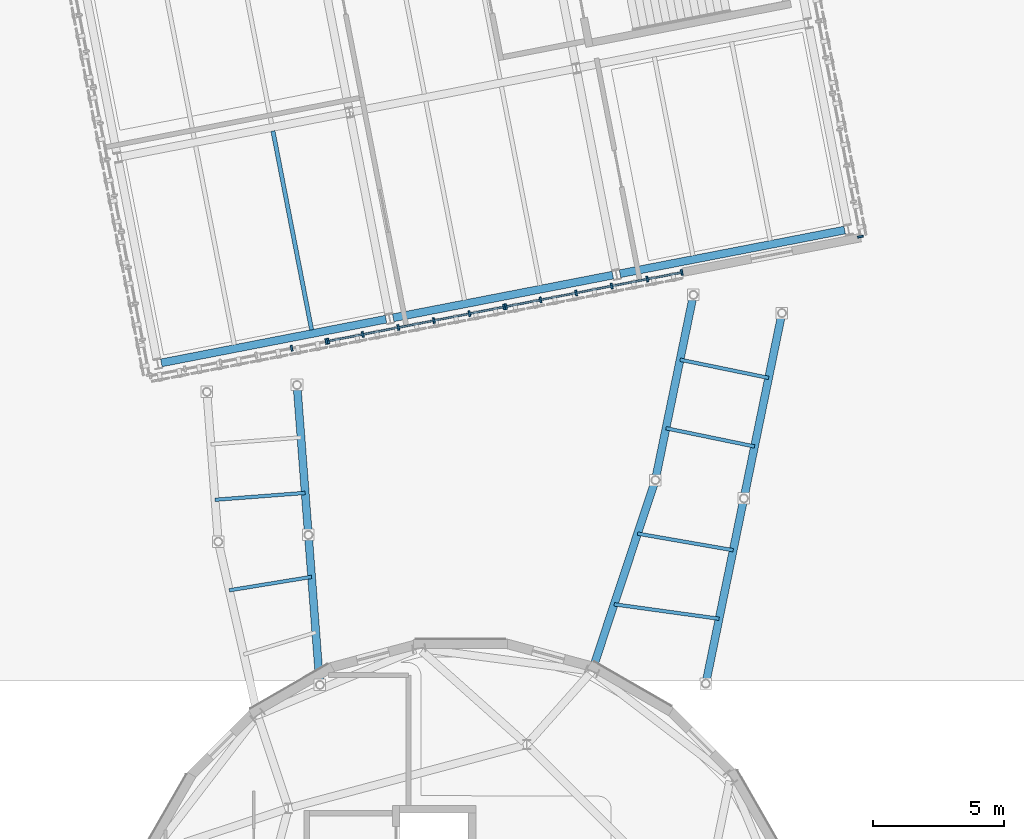
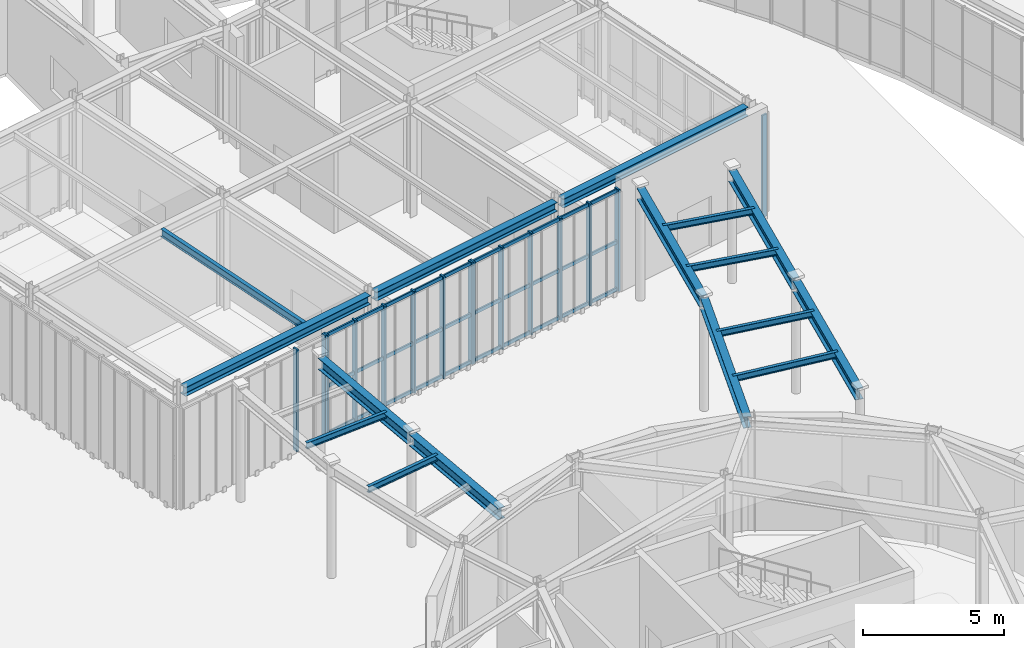
# One storey, part 35 of 97: 21 members, 16 beams, 4 elements without a shape of their own.
"""IFC4 building model written with IfcOpenShell, lengths in metres."""

from ifc_helpers import new_model, si_unit, direction, frame, origin, origin_2d, place, context, subcontext, project, spatial, rectangle, i_section, extrude, material, material_profile, profile_set, type_object, element, aggregate, save


model = new_model("IFC4")

# Units and contexts
model_context = context("Model", 3, precision=1e-05, world=origin(), true_north=direction((0.0, 1.0)))
body_context = subcontext(model_context, "Body", "Model", "MODEL_VIEW")
ifc_project = project(units=[si_unit("LENGTHUNIT", "METRE"), si_unit("AREAUNIT", "SQUARE_METRE"), si_unit("VOLUMEUNIT", "CUBIC_METRE"), si_unit("PLANEANGLEUNIT", "RADIAN"), si_unit("MASSUNIT", "GRAM", prefix="KILO")], contexts=[model_context])

# Site, building, storey
site_placement = place(None, origin())
site = spatial("IfcSite", under=ifc_project, at=site_placement, CompositionType="ELEMENT")
building_placement = place(site_placement, origin())
building = spatial("IfcBuilding", under=site, at=building_placement, Name="Varnklinge Art Gallery", CompositionType="ELEMENT")
storey_placement = place(building_placement, origin())
storey = spatial("IfcBuildingStorey", under=building, at=storey_placement, Name="L00", CompositionType="ELEMENT", Elevation=0.0)

# Beams
ifc_material_1 = material(Name="Steel S355", Category="steel")
ifc_material_profile_1 = material_profile(ifc_material_1, i_section(OverallWidth=0.159912109375, OverallDepth=0.330078125, WebThickness=0.007568359375, FlangeThickness=0.011474609375, FilletRadius=0.01806640625, at=origin_2d()), Name="IPE 330")
ifc_profile_set_1 = profile_set([ifc_material_profile_1], Name="Steel S355")
beam_type_1 = type_object("IfcBeamType", Name="JST-07", PredefinedType="JOIST", material=ifc_profile_set_1)
beam_1_placement = place(storey_placement, frame((69.735595703125, 63.372314453125, 4.715087890625), z_axis=(-0.190785861445, 0.981631679946, 0.0), x_axis=(-0.981631679946, -0.190785861445, 0.0)))
element("IfcBeam", 1, at=beam_1_placement, inside=storey, type_object=beam_type_1, Name="L00 JST-07 JST-V4B-L01-0-0-2", PredefinedType="JOIST", context=body_context, shape_type="SweptSolid", body=[
    extrude(i_section(OverallWidth=0.159912109375, OverallDepth=0.330078125, WebThickness=0.007568359375, FlangeThickness=0.011474609375, FilletRadius=0.01806640625, at=origin_2d()), origin(), (0.0, 0.0, 1.0), 7.72021484375),
])
ifc_material_2 = material(Name="Steel S355", Category="steel")
ifc_material_profile_2 = material_profile(ifc_material_2, i_section(OverallWidth=0.135009765625, OverallDepth=0.27001953125, WebThickness=0.006591796875, FlangeThickness=0.01025390625, FilletRadius=0.014892578125, at=origin_2d()), Name="IPE 270")
ifc_profile_set_2 = profile_set([ifc_material_profile_2], Name="Steel S355")
beam_type_2 = type_object("IfcBeamType", Name="JST-09", PredefinedType="JOIST", material=ifc_profile_set_2)
beam_2_placement = place(storey_placement, frame((69.73486328125, 53.96435546875, 4.7451171875), z_axis=(-0.986924401907, -0.161183823385, 0.0), x_axis=(0.161183823385, -0.986924401907, 0.0)))
element("IfcBeam", 2, at=beam_2_placement, inside=storey, type_object=beam_type_2, Name="L00 JST-09 JST-BRG-1-2", PredefinedType="JOIST", context=body_context, shape_type="SweptSolid", body=[
    extrude(i_section(OverallWidth=0.135009765625, OverallDepth=0.27001953125, WebThickness=0.006591796875, FlangeThickness=0.01025390625, FilletRadius=0.014892578125, at=origin_2d()), origin(), (0.0, 0.0, 1.0), 3.177734375),
])
beam_3_placement = place(storey_placement, frame((69.4912109375, 57.1630859375, 4.7451171875), z_axis=(-0.997113813668, -0.075921292083, 0.0), x_axis=(0.075921292083, -0.997113813668, 0.0)))
element("IfcBeam", 3, at=beam_3_placement, inside=storey, type_object=beam_type_2, Name="L00 JST-09 JST-BRG-1-3", PredefinedType="JOIST", context=body_context, shape_type="SweptSolid", body=[
    extrude(i_section(OverallWidth=0.135009765625, OverallDepth=0.27001953125, WebThickness=0.006591796875, FlangeThickness=0.01025390625, FilletRadius=0.014892578125, at=origin_2d()), origin(), (0.0, 0.0, 1.0), 3.444091796875),
])
beam_4_placement = place(storey_placement, frame((85.25927734375, 52.368408203125, 4.7451171875), z_axis=(-0.990641449962, 0.136489990907, 0.0), x_axis=(-0.136489990907, -0.990641449962, 0.0)))
element("IfcBeam", 4, at=beam_4_placement, inside=storey, type_object=beam_type_2, Name="L00 JST-09 JST-BRG-2-1", PredefinedType="JOIST", context=body_context, shape_type="SweptSolid", body=[
    extrude(i_section(OverallWidth=0.135009765625, OverallDepth=0.27001953125, WebThickness=0.006591796875, FlangeThickness=0.01025390625, FilletRadius=0.014892578125, at=origin_2d()), origin(), (0.0, 0.0, 1.0), 4.035400390625),
])
beam_5_placement = place(storey_placement, frame((85.79638671875, 54.979736328125, 4.7451171875), z_axis=(-0.985265021022, 0.171034611558, 0.0), x_axis=(-0.171034611558, -0.985265021022, 0.0)))
element("IfcBeam", 5, at=beam_5_placement, inside=storey, type_object=beam_type_2, Name="L00 JST-09 JST-BRG-2-2", PredefinedType="JOIST", context=body_context, shape_type="SweptSolid", body=[
    extrude(i_section(OverallWidth=0.135009765625, OverallDepth=0.27001953125, WebThickness=0.006591796875, FlangeThickness=0.01025390625, FilletRadius=0.014892578125, at=origin_2d()), origin(), (0.0, 0.0, 1.0), 3.697021484375),
])
beam_6_placement = place(storey_placement, frame((86.609130859375, 58.932373046875, 4.7451171875), z_axis=(-0.97949737844, 0.201456907622, 0.0), x_axis=(-0.201456907622, -0.97949737844, 0.0)))
element("IfcBeam", 6, at=beam_6_placement, inside=storey, type_object=beam_type_2, Name="L00 JST-09 JST-BRG-2-3", PredefinedType="JOIST", context=body_context, shape_type="SweptSolid", body=[
    extrude(i_section(OverallWidth=0.135009765625, OverallDepth=0.27001953125, WebThickness=0.006591796875, FlangeThickness=0.01025390625, FilletRadius=0.014892578125, at=origin_2d()), origin(), (0.0, 0.0, 1.0), 3.444091796875),
])
beam_7_placement = place(storey_placement, frame((87.14599609375, 61.5439453125, 4.7451171875), z_axis=(-0.979508488607, 0.201402881677, 0.0), x_axis=(-0.201402881677, -0.979508488607, 0.0)))
element("IfcBeam", 7, at=beam_7_placement, inside=storey, type_object=beam_type_2, Name="L00 JST-09 JST-BRG-2-4", PredefinedType="JOIST", context=body_context, shape_type="SweptSolid", body=[
    extrude(i_section(OverallWidth=0.135009765625, OverallDepth=0.27001953125, WebThickness=0.006591796875, FlangeThickness=0.01025390625, FilletRadius=0.014892578125, at=origin_2d()), origin(), (0.0, 0.0, 1.0), 3.44384765625),
])

# Curtain wall, members
ifc_material_3 = material(Name="Anodised Aluminium", Category="aluminium")
curtain_wall_type_1 = type_object("IfcCurtainWallType", Name="CW-L01", PredefinedType="USERDEFINED", material=ifc_material_3)
curtain_wall_1_placement = place(storey_placement, origin())
curtain_wall_1 = element("IfcCurtainWall", 8, at=curtain_wall_1_placement, inside=storey, type_object=curtain_wall_type_1, Name="L00 Curtain Wall CW-V4B-L00-1-1-1", ObjectType="UNITISED CURTAIN WALL", PredefinedType="USERDEFINED")
ifc_material_4 = material(Name="Anodised Aluminium", Category="aluminium")
ifc_material_profile_3 = material_profile(ifc_material_4, rectangle(XDim=0.074951171875, YDim=0.219970703125, at=origin_2d()), Name="ALU 75x220")
ifc_profile_set_3 = profile_set([ifc_material_profile_3], Name="Anodised Aluminium")
member_type_1 = type_object("IfcMemberType", Name="MUL-02", PredefinedType="MULLION", material=ifc_profile_set_3)
member_1_placement = place(storey_placement, frame((68.974853515625, 62.674560546875, 0.0), z_axis=(0.0, 0.0, 1.0), x_axis=(0.981627183448, 0.190808995377, 0.0)))
member_1 = element("IfcMember", 9, at=member_1_placement, type_object=member_type_1, Name="CW-V4B-L00-1-1-1 Mullion 5", PredefinedType="MULLION", context=body_context, shape_type="SweptSolid", body=[
    extrude(rectangle(XDim=0.074951171875, YDim=0.219970703125, at=origin_2d()), origin(), (0.0, 0.0, 1.0), 4.429931640625),
])
member_2_placement = place(storey_placement, frame((70.292724609375, 62.9306640625, 0.0), z_axis=(0.0, 0.0, 1.0), x_axis=(0.981627183448, 0.190808995377, 0.0)))
member_2 = element("IfcMember", 10, at=member_2_placement, type_object=member_type_1, Name="CW-V4B-L00-1-1-1 Mullion 6", PredefinedType="MULLION", context=body_context, shape_type="SweptSolid", body=[
    extrude(rectangle(XDim=0.074951171875, YDim=0.219970703125, at=origin_2d()), origin(), (0.0, 0.0, 1.0), 4.429931640625),
])
aggregate(curtain_wall_1, [member_1, member_2])

curtain_wall_2_placement = place(storey_placement, origin())
curtain_wall_2 = element("IfcCurtainWall", 11, at=curtain_wall_2_placement, inside=storey, type_object=curtain_wall_type_1, Name="L00 Curtain Wall CW-V4B-L00-1-1-2", ObjectType="UNITISED CURTAIN WALL", PredefinedType="USERDEFINED")
member_3_placement = place(storey_placement, frame((70.3662109375, 62.945068359375, 0.0), z_axis=(0.0, 0.0, 1.0), x_axis=(0.981627183448, 0.190808995377, 0.0)))
member_3 = element("IfcMember", 12, at=member_3_placement, type_object=member_type_1, Name="CW-V4B-L00-1-1-2 Mullion 1", PredefinedType="MULLION", context=body_context, shape_type="SweptSolid", body=[
    extrude(rectangle(XDim=0.074951171875, YDim=0.219970703125, at=origin_2d()), origin(), (0.0, 0.0, 1.0), 4.429931640625),
])
member_4_placement = place(storey_placement, frame((71.68408203125, 63.201171875, 0.0), z_axis=(0.0, 0.0, 1.0), x_axis=(0.981627183448, 0.190808995377, 0.0)))
member_4 = element("IfcMember", 13, at=member_4_placement, type_object=member_type_1, Name="CW-V4B-L00-1-1-2 Mullion 2", PredefinedType="MULLION", context=body_context, shape_type="SweptSolid", body=[
    extrude(rectangle(XDim=0.074951171875, YDim=0.219970703125, at=origin_2d()), origin(), (0.0, 0.0, 1.0), 4.429931640625),
])
member_5_placement = place(storey_placement, frame((73.038818359375, 63.46435546875, 0.0), z_axis=(0.0, 0.0, 1.0), x_axis=(0.981627183448, 0.190808995377, 0.0)))
member_5 = element("IfcMember", 14, at=member_5_placement, type_object=member_type_1, Name="CW-V4B-L00-1-1-2 Mullion 3", PredefinedType="MULLION", context=body_context, shape_type="SweptSolid", body=[
    extrude(rectangle(XDim=0.074951171875, YDim=0.219970703125, at=origin_2d()), origin(), (0.0, 0.0, 1.0), 4.429931640625),
])
member_6_placement = place(storey_placement, frame((74.3935546875, 63.727783203125, 0.0), z_axis=(0.0, 0.0, 1.0), x_axis=(0.981627183448, 0.190808995377, 0.0)))
member_6 = element("IfcMember", 15, at=member_6_placement, type_object=member_type_1, Name="CW-V4B-L00-1-1-2 Mullion 4", PredefinedType="MULLION", context=body_context, shape_type="SweptSolid", body=[
    extrude(rectangle(XDim=0.074951171875, YDim=0.219970703125, at=origin_2d()), origin(), (0.0, 0.0, 1.0), 4.429931640625),
])
member_7_placement = place(storey_placement, frame((75.748046875, 63.9912109375, 0.0), z_axis=(0.0, 0.0, 1.0), x_axis=(0.981627183448, 0.190808995377, 0.0)))
member_7 = element("IfcMember", 16, at=member_7_placement, type_object=member_type_1, Name="CW-V4B-L00-1-1-2 Mullion 5", PredefinedType="MULLION", context=body_context, shape_type="SweptSolid", body=[
    extrude(rectangle(XDim=0.074951171875, YDim=0.219970703125, at=origin_2d()), origin(), (0.0, 0.0, 1.0), 4.429931640625),
])
member_8_placement = place(storey_placement, frame((77.06591796875, 64.247314453125, 0.0), z_axis=(0.0, 0.0, 1.0), x_axis=(0.981627183448, 0.190808995377, 0.0)))
member_8 = element("IfcMember", 17, at=member_8_placement, type_object=member_type_1, Name="CW-V4B-L00-1-1-2 Mullion 6", PredefinedType="MULLION", context=body_context, shape_type="SweptSolid", body=[
    extrude(rectangle(XDim=0.074951171875, YDim=0.219970703125, at=origin_2d()), origin(), (0.0, 0.0, 1.0), 4.429931640625),
])

curtain_wall_3_placement = place(storey_placement, origin())
curtain_wall_3 = element("IfcCurtainWall", 18, at=curtain_wall_3_placement, inside=storey, type_object=curtain_wall_type_1, Name="L00 Curtain Wall CW-V4B-L00-1-1-3", ObjectType="UNITISED CURTAIN WALL", PredefinedType="USERDEFINED")
member_9_placement = place(storey_placement, frame((77.1396484375, 64.26171875, 0.0), z_axis=(0.0, 0.0, 1.0), x_axis=(0.981627183448, 0.190808995377, 0.0)))
member_9 = element("IfcMember", 19, at=member_9_placement, type_object=member_type_1, Name="CW-V4B-L00-1-1-3 Mullion 1", PredefinedType="MULLION", context=body_context, shape_type="SweptSolid", body=[
    extrude(rectangle(XDim=0.074951171875, YDim=0.219970703125, at=origin_2d()), origin(), (0.0, 0.0, 1.0), 4.429931640625),
])
member_10_placement = place(storey_placement, frame((78.45751953125, 64.517578125, 0.0), z_axis=(0.0, 0.0, 1.0), x_axis=(0.981627183448, 0.190808995377, 0.0)))
member_10 = element("IfcMember", 20, at=member_10_placement, type_object=member_type_1, Name="CW-V4B-L00-1-1-3 Mullion 2", PredefinedType="MULLION", context=body_context, shape_type="SweptSolid", body=[
    extrude(rectangle(XDim=0.074951171875, YDim=0.219970703125, at=origin_2d()), origin(), (0.0, 0.0, 1.0), 4.429931640625),
])
member_11_placement = place(storey_placement, frame((79.81201171875, 64.781005859375, 0.0), z_axis=(0.0, 0.0, 1.0), x_axis=(0.981627183448, 0.190808995377, 0.0)))
member_11 = element("IfcMember", 21, at=member_11_placement, type_object=member_type_1, Name="CW-V4B-L00-1-1-3 Mullion 3", PredefinedType="MULLION", context=body_context, shape_type="SweptSolid", body=[
    extrude(rectangle(XDim=0.074951171875, YDim=0.219970703125, at=origin_2d()), origin(), (0.0, 0.0, 1.0), 4.429931640625),
])
member_12_placement = place(storey_placement, frame((81.166748046875, 65.044189453125, 0.0), z_axis=(0.0, 0.0, 1.0), x_axis=(0.981627183448, 0.190808995377, 0.0)))
member_12 = element("IfcMember", 22, at=member_12_placement, type_object=member_type_1, Name="CW-V4B-L00-1-1-3 Mullion 4", PredefinedType="MULLION", context=body_context, shape_type="SweptSolid", body=[
    extrude(rectangle(XDim=0.074951171875, YDim=0.219970703125, at=origin_2d()), origin(), (0.0, 0.0, 1.0), 4.429931640625),
])
member_13_placement = place(storey_placement, frame((82.521484375, 65.3076171875, 0.0), z_axis=(0.0, 0.0, 1.0), x_axis=(0.981627183448, 0.190808995377, 0.0)))
member_13 = element("IfcMember", 23, at=member_13_placement, type_object=member_type_1, Name="CW-V4B-L00-1-1-3 Mullion 5", PredefinedType="MULLION", context=body_context, shape_type="SweptSolid", body=[
    extrude(rectangle(XDim=0.074951171875, YDim=0.219970703125, at=origin_2d()), origin(), (0.0, 0.0, 1.0), 4.429931640625),
])
member_14_placement = place(storey_placement, frame((83.839111328125, 65.563720703125, 0.0), z_axis=(0.0, 0.0, 1.0), x_axis=(0.981627183448, 0.190808995377, 0.0)))
member_14 = element("IfcMember", 24, at=member_14_placement, type_object=member_type_1, Name="CW-V4B-L00-1-1-3 Mullion 6", PredefinedType="MULLION", context=body_context, shape_type="SweptSolid", body=[
    extrude(rectangle(XDim=0.074951171875, YDim=0.219970703125, at=origin_2d()), origin(), (0.0, 0.0, 1.0), 4.429931640625),
])

# Curtain wall, member
ifc_material_5 = material(Name="Anodised Aluminium", Category="aluminium")
curtain_wall_type_2 = type_object("IfcCurtainWallType", Name="CW-L05", PredefinedType="USERDEFINED", material=ifc_material_5)
curtain_wall_4_placement = place(storey_placement, origin())
curtain_wall_4 = element("IfcCurtainWall", 25, at=curtain_wall_4_placement, inside=storey, type_object=curtain_wall_type_2, Name="L00 Curtain Wall CW-V4B-L00-2-1-1", ObjectType="UNITISED CURTAIN WALL", PredefinedType="USERDEFINED")
member_15_placement = place(storey_placement, frame((90.64208984375, 66.92431640625, 0.0), z_axis=(0.0, 0.0, 1.0), x_axis=(-0.190808995377, 0.981627183448, 0.0)))
member_15 = element("IfcMember", 26, at=member_15_placement, type_object=member_type_1, Name="CW-V4B-L00-2-1-1 Mullion 1", PredefinedType="MULLION", context=body_context, shape_type="SweptSolid", body=[
    extrude(rectangle(XDim=0.074951171875, YDim=0.219970703125, at=origin_2d()), origin(), (0.0, 0.0, 1.0), 4.429931640625),
])
aggregate(curtain_wall_4, [member_15])

# Beams
ifc_material_6 = material(Name="Steel S355", Category="steel")
ifc_material_profile_4 = material_profile(ifc_material_6, i_section(OverallWidth=0.300048828125, OverallDepth=0.489990234375, WebThickness=0.011962890625, FlangeThickness=0.02294921875, FilletRadius=0.027099609375, at=origin_2d()), Name="HEA 500")
ifc_profile_set_4 = profile_set([ifc_material_profile_4], Name="Steel S355")
beam_type_3 = type_object("IfcBeamType", Name="SPB-01", PredefinedType="SPANDREL", material=ifc_profile_set_4)
beam_8_placement = place(storey_placement, frame((70.043212890625, 49.911865234375, 4.635009765625), z_axis=(-0.075877545571, 0.997117143609, 0.0), x_axis=(-0.997117143609, -0.075877545571, 0.0)))
element("IfcBeam", 27, at=beam_8_placement, inside=storey, type_object=beam_type_3, Name="L00 SPB-01 BM-BRG-1-L1", PredefinedType="SPANDREL", context=body_context, shape_type="SweptSolid", body=[
    extrude(i_section(OverallWidth=0.300048828125, OverallDepth=0.489990234375, WebThickness=0.011962890625, FlangeThickness=0.02294921875, FilletRadius=0.027099609375, at=origin_2d()), origin(), (0.0, 0.0, 1.0), 5.608154296875),
])
beam_9_placement = place(storey_placement, frame((69.6083984375, 55.62353515625, 4.635009765625), z_axis=(-0.07587425208, 0.997117394228, 0.0), x_axis=(-0.997117394228, -0.07587425208, 0.0)))
element("IfcBeam", 28, at=beam_9_placement, inside=storey, type_object=beam_type_3, Name="L00 SPB-01 BM-BRG-1-L2", PredefinedType="SPANDREL", context=body_context, shape_type="SweptSolid", body=[
    extrude(i_section(OverallWidth=0.300048828125, OverallDepth=0.489990234375, WebThickness=0.011962890625, FlangeThickness=0.02294921875, FilletRadius=0.027099609375, at=origin_2d()), origin(), (0.0, 0.0, 1.0), 5.6083984375),
])
for number, where, z_axis, x_axis, name in (
    (29, (84.76318359375, 49.956787109375, 4.635009765625), (0.201460424321, 0.979496655141, 0.0), (-0.979496655141, 0.201460424321, 0.0), "L00 SPB-01 BM-BRG-2-L1"),
    (30, (86.21484375, 57.014892578125, 4.635009765625), (0.201427367044, 0.979503453698, 0.0), (-0.979503453698, 0.201427367044, 0.0), "L00 SPB-01 BM-BRG-2-L2"),
):
    element("IfcBeam", number, at=place(storey_placement, frame(where, z_axis=z_axis, x_axis=x_axis)), inside=storey, type_object=beam_type_3, Name=name, PredefinedType="SPANDREL", context=body_context, shape_type="SweptSolid", body=[
        extrude(i_section(OverallWidth=0.300048828125, OverallDepth=0.489990234375, WebThickness=0.011962890625, FlangeThickness=0.02294921875, FilletRadius=0.027099609375, at=origin_2d()), origin(), (0.0, 0.0, 1.0), 7.085693359375),
    ])
beam_10_placement = place(storey_placement, frame((80.436279296875, 50.428955078125, 4.635009765625), z_axis=(0.314567746452, 0.949235025108, 0.0), x_axis=(-0.949235025108, 0.314567746452, 0.0)))
element("IfcBeam", 31, at=beam_10_placement, inside=storey, type_object=beam_type_3, Name="L00 SPB-01 BM-BRG-2-R1", PredefinedType="SPANDREL", context=body_context, shape_type="SweptSolid", body=[
    extrude(i_section(OverallWidth=0.300048828125, OverallDepth=0.489990234375, WebThickness=0.011962890625, FlangeThickness=0.02294921875, FilletRadius=0.027099609375, at=origin_2d()), origin(), (0.0, 0.0, 1.0), 7.546875),
])
beam_11_placement = place(storey_placement, frame((82.84130859375, 57.70849609375, 4.635009765625), z_axis=(0.201420569222, 0.979504851593, 0.0), x_axis=(-0.979504851593, 0.201420569222, 0.0)))
element("IfcBeam", 32, at=beam_11_placement, inside=storey, type_object=beam_type_3, Name="L00 SPB-01 BM-BRG-2-R2", PredefinedType="SPANDREL", context=body_context, shape_type="SweptSolid", body=[
    extrude(i_section(OverallWidth=0.300048828125, OverallDepth=0.489990234375, WebThickness=0.011962890625, FlangeThickness=0.02294921875, FilletRadius=0.027099609375, at=origin_2d()), origin(), (0.0, 0.0, 1.0), 7.0859375),
])
ifc_material_7 = material(Name="Steel S355", Category="steel")
ifc_material_profile_5 = material_profile(ifc_material_7, i_section(OverallWidth=0.300048828125, OverallDepth=0.389892578125, WebThickness=0.010986328125, FlangeThickness=0.01904296875, FilletRadius=0.027099609375, at=origin_2d()), Name="HEA 400")
ifc_profile_set_5 = profile_set([ifc_material_profile_5], Name="Steel S355")
beam_type_4 = type_object("IfcBeamType", Name="SPB-03", PredefinedType="SPANDREL", material=ifc_profile_set_5)
beam_12_placement = place(storey_placement, frame((64.010009765625, 62.11669921875, 4.68505859375), z_axis=(0.98162282025, 0.190831440713, 0.0), x_axis=(-0.190831440713, 0.98162282025, 0.0)))
element("IfcBeam", 33, at=beam_12_placement, inside=storey, type_object=beam_type_4, Name="L00 SPB-03 BM-V4B-L01-U0-0", PredefinedType="SPANDREL", context=body_context, shape_type="SweptSolid", body=[
    extrude(i_section(OverallWidth=0.300048828125, OverallDepth=0.389892578125, WebThickness=0.010986328125, FlangeThickness=0.01904296875, FilletRadius=0.027099609375, at=origin_2d()), origin(), (0.0, 0.0, 1.0), 8.719970703125),
])
beam_13_placement = place(storey_placement, frame((72.8447265625, 63.833984375, 4.68505859375), z_axis=(0.981626572932, 0.190812136181, 0.0), x_axis=(-0.190812136181, 0.981626572932, 0.0)))
element("IfcBeam", 34, at=beam_13_placement, inside=storey, type_object=beam_type_4, Name="L00 SPB-03 BM-V4B-L01-U0-1", PredefinedType="SPANDREL", context=body_context, shape_type="SweptSolid", body=[
    extrude(i_section(OverallWidth=0.300048828125, OverallDepth=0.389892578125, WebThickness=0.010986328125, FlangeThickness=0.01904296875, FilletRadius=0.027099609375, at=origin_2d()), origin(), (0.0, 0.0, 1.0), 8.52001953125),
])
beam_14_placement = place(storey_placement, frame((81.48291015625, 65.51318359375, 4.68505859375), z_axis=(0.981629083791, 0.190799218699, 0.0), x_axis=(-0.190799218699, 0.981629083791, 0.0)))
element("IfcBeam", 35, at=beam_14_placement, inside=storey, type_object=beam_type_4, Name="L00 SPB-03 BM-V4B-L01-U0-2", PredefinedType="SPANDREL", context=body_context, shape_type="SweptSolid", body=[
    extrude(i_section(OverallWidth=0.300048828125, OverallDepth=0.389892578125, WebThickness=0.010986328125, FlangeThickness=0.01904296875, FilletRadius=0.027099609375, at=origin_2d()), origin(), (0.0, 0.0, 1.0), 8.72021484375),
])

# Member
ifc_material_8 = material(Name="Anodised Aluminium", Category="aluminium")
ifc_material_profile_6 = material_profile(ifc_material_8, rectangle(XDim=0.06494140625, YDim=0.14990234375, at=origin_2d()), Name="ALU 65x150")
ifc_profile_set_6 = profile_set([ifc_material_profile_6], Name="Anodised Aluminium")
member_type_2 = type_object("IfcMemberType", Name="TRN-01", PredefinedType="USERDEFINED", material=ifc_profile_set_6)
member_16_placement = place(storey_placement, frame((70.3662109375, 62.945068359375, 0.074951171875), z_axis=(0.981628419203, 0.190802637855, 0.0), x_axis=(-0.190802637855, 0.981628419203, 0.0)))
member_16 = element("IfcMember", 36, at=member_16_placement, type_object=member_type_2, Name="CW-V4B-L00-1-1-2 Transom 1", ObjectType="TRANSOM", PredefinedType="USERDEFINED", context=body_context, shape_type="SweptSolid", body=[
    extrude(rectangle(XDim=0.06494140625, YDim=0.14990234375, at=origin_2d()), origin(), (0.0, 0.0, 1.0), 6.8251953125),
])

member_17_placement = place(storey_placement, frame((70.3662109375, 62.945068359375, 2.12646484375), z_axis=(0.981628419203, 0.190802637855, 0.0), x_axis=(-0.190802637855, 0.981628419203, 0.0)))
member_17 = element("IfcMember", 37, at=member_17_placement, type_object=member_type_2, Name="CW-V4B-L00-1-1-2 Transom 2", ObjectType="TRANSOM", PredefinedType="USERDEFINED", context=body_context, shape_type="SweptSolid", body=[
    extrude(rectangle(XDim=0.06494140625, YDim=0.14990234375, at=origin_2d()), origin(), (0.0, 0.0, 1.0), 6.8251953125),
])

member_18_placement = place(storey_placement, frame((70.3662109375, 62.945068359375, 4.35498046875), z_axis=(0.981628419203, 0.190802637855, 0.0), x_axis=(-0.190802637855, 0.981628419203, 0.0)))
member_18 = element("IfcMember", 38, at=member_18_placement, type_object=member_type_2, Name="CW-V4B-L00-1-1-2 Transom 3", ObjectType="TRANSOM", PredefinedType="USERDEFINED", context=body_context, shape_type="SweptSolid", body=[
    extrude(rectangle(XDim=0.06494140625, YDim=0.14990234375, at=origin_2d()), origin(), (0.0, 0.0, 1.0), 6.8251953125),
])

aggregate(curtain_wall_2, [member_3, member_4, member_5, member_6, member_7, member_8, member_16, member_17, member_18])

member_19_placement = place(storey_placement, frame((77.1396484375, 64.26171875, 0.074951171875), z_axis=(0.981633816585, 0.190774867674, 0.0), x_axis=(-0.190774867674, 0.981633816585, 0.0)))
member_19 = element("IfcMember", 39, at=member_19_placement, type_object=member_type_2, Name="CW-V4B-L00-1-1-3 Transom 1", ObjectType="TRANSOM", PredefinedType="USERDEFINED", context=body_context, shape_type="SweptSolid", body=[
    extrude(rectangle(XDim=0.06494140625, YDim=0.14990234375, at=origin_2d()), origin(), (0.0, 0.0, 1.0), 6.82470703125),
])

member_20_placement = place(storey_placement, frame((77.1396484375, 64.26171875, 2.12646484375), z_axis=(0.981633816585, 0.190774867674, 0.0), x_axis=(-0.190774867674, 0.981633816585, 0.0)))
member_20 = element("IfcMember", 40, at=member_20_placement, type_object=member_type_2, Name="CW-V4B-L00-1-1-3 Transom 2", ObjectType="TRANSOM", PredefinedType="USERDEFINED", context=body_context, shape_type="SweptSolid", body=[
    extrude(rectangle(XDim=0.06494140625, YDim=0.14990234375, at=origin_2d()), origin(), (0.0, 0.0, 1.0), 6.82470703125),
])

member_21_placement = place(storey_placement, frame((77.1396484375, 64.26171875, 4.35498046875), z_axis=(0.981633816585, 0.190774867674, 0.0), x_axis=(-0.190774867674, 0.981633816585, 0.0)))
member_21 = element("IfcMember", 41, at=member_21_placement, type_object=member_type_2, Name="CW-V4B-L00-1-1-3 Transom 3", ObjectType="TRANSOM", PredefinedType="USERDEFINED", context=body_context, shape_type="SweptSolid", body=[
    extrude(rectangle(XDim=0.06494140625, YDim=0.14990234375, at=origin_2d()), origin(), (0.0, 0.0, 1.0), 6.82470703125),
])

aggregate(curtain_wall_3, [member_9, member_10, member_11, member_12, member_13, member_14, member_19, member_20, member_21])

save(model, "model.ifc")
